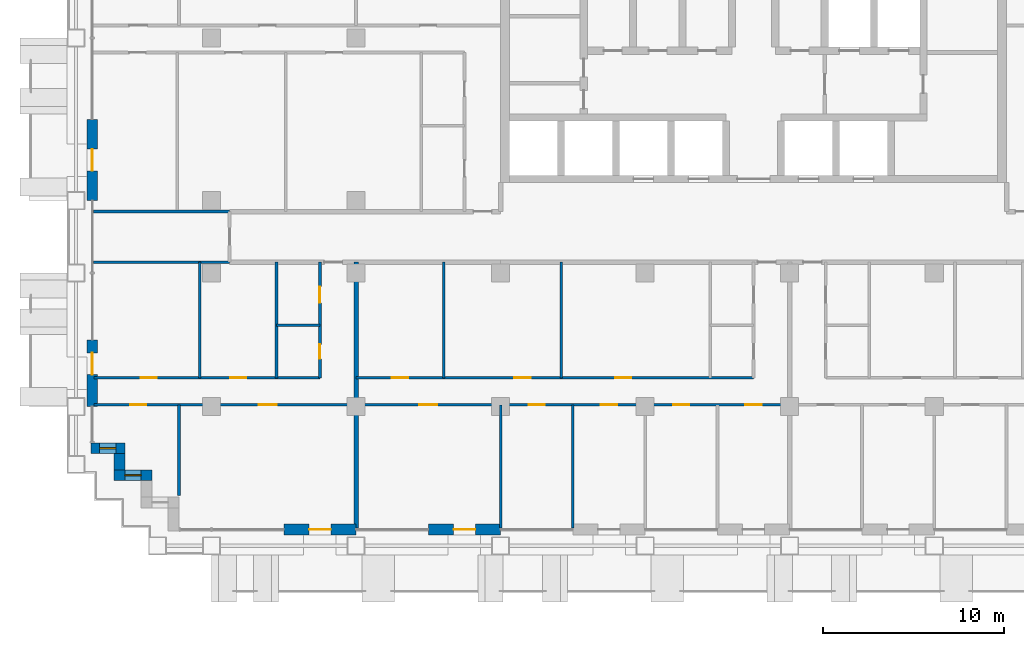
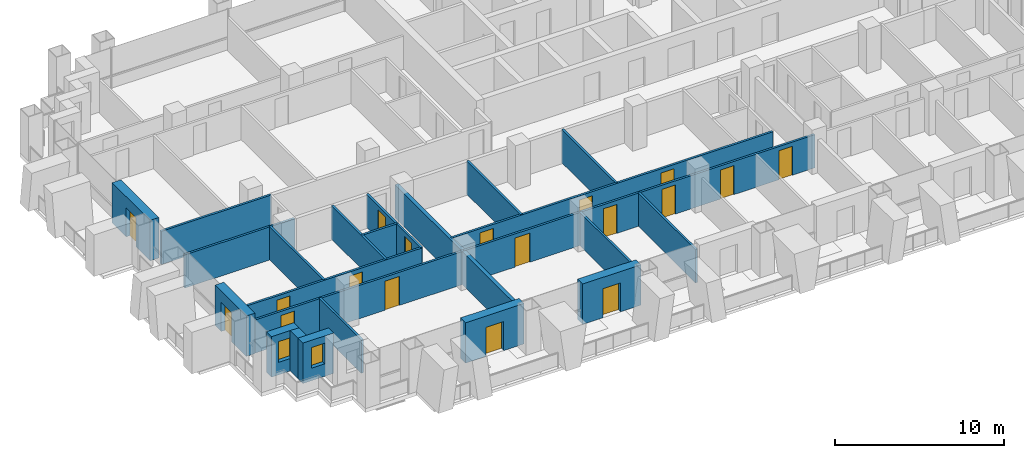
# One storey, part 9 of 18: 23 walls, 18 doors, 2 windows, 20 openings.
"""IFC4 building model written with IfcOpenShell, lengths in metres."""

import ifcopenshell
import ifcopenshell.guid

model = None  # the IFC model being written
_history = None  # IfcOwnerHistory: only IFC2X3 demands one
_inside = {}  # id of a spatial element -> (the spatial element, [elements in it])
_under = {}  # id of a project, library or spatial element -> (it, [spatial elements below it])
_declared = {}  # id of a project -> (the project, [libraries it declares])
_typed = {}  # id of a type object -> (the type object, [elements of that type])
_made_of = {}  # id of a material, layer set ... -> (it, [elements and type objects made of it])


def new_model(schema):
    """Start an empty IFC model of exactly this schema.

    Asked for "IFC4X3", IfcOpenShell would pick the latest addendum, in which some entities
    have other attributes; the version numbers below select the first issue.
    IFC2X3 requires an IfcOwnerHistory on every rooted entity: one is made here for all.
    """
    global model, _history
    if schema == "IFC4X3":
        model = ifcopenshell.file(schema_version=(4, 3, 0, 0))
    else:
        model = ifcopenshell.file(schema=schema)
    _inside.clear()
    _under.clear()
    _declared.clear()
    _typed.clear()
    _made_of.clear()
    _history = None
    if model.schema == "IFC2X3":
        org = make("IfcOrganization", Name="unknown")
        user = make(
            "IfcPersonAndOrganization",
            ThePerson=make("IfcPerson", FamilyName="unknown"),
            TheOrganization=org,
        )
        app = make(
            "IfcApplication",
            ApplicationDeveloper=org,
            Version="unknown",
            ApplicationFullName="unknown",
            ApplicationIdentifier="unknown",
        )
        _history = make(
            "IfcOwnerHistory",
            OwningUser=user,
            OwningApplication=app,
            ChangeAction="ADDED",
            CreationDate=0,
        )
    return model


def make(cls, **values):
    """One entity of the class cls with the attributes given. An attribute that is None is left unset."""
    return model.create_entity(
        cls, **{name: value for name, value in values.items() if value is not None}
    )


def rooted(cls, **values):
    """An entity with a GlobalId (a new one), such as an element, a storey or a relation."""
    return make(cls, GlobalId=ifcopenshell.guid.new(), OwnerHistory=_history, **values)


def si_unit(unit_type, name, prefix=None):
    """IfcSIUnit, for example si_unit("LENGTHUNIT", "METRE", prefix="MILLI")."""
    return make("IfcSIUnit", UnitType=unit_type, Prefix=prefix, Name=name)


def assignment(units):
    """IfcUnitAssignment: the units of a project."""
    return None if units is None else make("IfcUnitAssignment", Units=units)


def point(xyz):
    """IfcCartesianPoint."""
    return None if xyz is None else make("IfcCartesianPoint", Coordinates=xyz)


def direction(xyz):
    """IfcDirection."""
    return None if xyz is None else make("IfcDirection", DirectionRatios=xyz)


def frame(location, z_axis=None, x_axis=None):
    """IfcAxis2Placement3D, a coordinate frame: its origin and axes. An axis left out is left unset."""
    return make(
        "IfcAxis2Placement3D",
        Location=point(location),
        Axis=direction(z_axis),
        RefDirection=direction(x_axis),
    )


def frame_2d(location, x_axis=None):
    """IfcAxis2Placement2D, a coordinate frame in the plane: its origin and x axis."""
    return make(
        "IfcAxis2Placement2D", Location=point(location), RefDirection=direction(x_axis)
    )


def origin():
    """The frame at (0, 0, 0) with its axes left unset."""
    return frame((0.0, 0.0, 0.0))


def place(relative_to, where):
    """IfcLocalPlacement: puts the frame where relative to a parent placement (None: the world)."""
    return make(
        "IfcLocalPlacement", PlacementRelTo=relative_to, RelativePlacement=where
    )


def context(
    kind, dimensions, precision=None, world=None, true_north=None, identifier=None
):
    """IfcGeometricRepresentationContext, for example the 3D "Model" context."""
    return make(
        "IfcGeometricRepresentationContext",
        ContextIdentifier=identifier,
        ContextType=kind,
        CoordinateSpaceDimension=dimensions,
        Precision=precision,
        WorldCoordinateSystem=world,
        TrueNorth=true_north,
    )


def subcontext(parent, identifier, kind, view, scale=None):
    """IfcGeometricRepresentationSubContext, for example "Body" below "Model"."""
    return make(
        "IfcGeometricRepresentationSubContext",
        ContextIdentifier=identifier,
        ContextType=kind,
        ParentContext=parent,
        TargetScale=scale,
        TargetView=view,
    )


def project(units=None, contexts=None):
    """IfcProject with its units and contexts."""
    return rooted(
        "IfcProject",
        Name="project",
        RepresentationContexts=contexts,
        UnitsInContext=assignment(units),
    )


def spatial(cls, under=None, at=None, **own):
    """A site, building, storey or space (cls), placed at a placement, below another one or the project."""
    s = rooted(cls, ObjectPlacement=at, **own)
    if under is not None:
        _under.setdefault(under.id(), (under, []))[1].append(s)
    return s


def profile(cls, at=None, kind="AREA", **sizes):
    """A parametric profile (cls). Its sizes go by their IFC names, for example OverallWidth=200.0."""
    return make(cls, ProfileType=kind, Position=at, **sizes)


def rectangle(**sizes):
    """IfcRectangleProfileDef."""
    return profile("IfcRectangleProfileDef", **sizes)


def extrude(swept, where, along, depth):
    """IfcExtrudedAreaSolid: the profile swept, set in the frame where, extruded along a direction by depth."""
    return make(
        "IfcExtrudedAreaSolid",
        SweptArea=swept,
        Position=where,
        ExtrudedDirection=direction(along),
        Depth=depth,
    )


def shape(context_of_items, identifier, shape_type, items):
    """IfcShapeRepresentation: the items that make up one representation, for example the "Body"."""
    return make(
        "IfcShapeRepresentation",
        ContextOfItems=context_of_items,
        RepresentationIdentifier=identifier,
        RepresentationType=shape_type,
        Items=items,
    )


def material(Name=None, Category=None):
    """IfcMaterial."""
    return make("IfcMaterial", Name=Name, Category=Category)


def layer(
    of_material, thickness, ventilated=None, Name=None, Category=None, Priority=None
):
    """IfcMaterialLayer: one layer of a wall or slab, of a material (None: an air gap)."""
    return make(
        "IfcMaterialLayer",
        Material=of_material,
        LayerThickness=thickness,
        IsVentilated=ventilated,
        Name=Name,
        Category=Category,
        Priority=Priority,
    )


def layer_set(layers, Name=None):
    """IfcMaterialLayerSet."""
    return make("IfcMaterialLayerSet", MaterialLayers=layers, LayerSetName=Name)


def made_of(thing, what):
    """Note that an element or type object is made of a material, layer set ...; save() writes the relation."""
    if what is not None:
        _made_of.setdefault(what.id(), (what, []))[1].append(thing)
    return thing


def type_object(cls, material=None, **own):
    """A type object (cls), such as IfcWallType, which elements share."""
    return made_of(rooted(cls, **own), material)


def element(
    cls,
    number,
    at=None,
    inside=None,
    cuts=None,
    type_object=None,
    material=None,
    context=None,
    identifier="Body",
    shape_type=None,
    held_by="IfcProductDefinitionShape",
    body=None,
    shapes=None,
    **own,
):
    """One element of the class cls, such as IfcWall. Its Tag is "e" and its number.

    at: its placement. inside: the storey or other place that contains it. cuts: it is an
    opening in that element (IfcRelVoidsElement). A single representation is given by context,
    identifier, shape_type and body (its items); several are given by shapes. held_by: the class
    of the entity that holds the representations. save() writes the other relations.
    """
    e = rooted(cls, Tag="e%d" % number, ObjectPlacement=at, **own)
    if body is not None:
        shapes = [shape(context, identifier, shape_type, body)]
    if shapes is not None:
        e.Representation = make(held_by, Representations=shapes)
    if inside is not None:
        _inside.setdefault(inside.id(), (inside, []))[1].append(e)
    if cuts is not None:
        rooted(
            "IfcRelVoidsElement", RelatingBuildingElement=cuts, RelatedOpeningElement=e
        )
    if type_object is not None:
        _typed.setdefault(type_object.id(), (type_object, []))[1].append(e)
    return made_of(e, material)


def fill(opening, filler):
    """IfcRelFillsElement: the door or window that sits in an opening."""
    return rooted(
        "IfcRelFillsElement",
        RelatingOpeningElement=opening,
        RelatedBuildingElement=filler,
    )


def aggregate(whole, parts):
    """IfcRelAggregates: a whole, such as a stair, and the parts it consists of."""
    return rooted("IfcRelAggregates", RelatingObject=whole, RelatedObjects=parts)


def save(model, path):
    """Write the relations noted so far, then the file.

    IfcRelAggregates (storeys below a building ...), IfcRelContainedInSpatialStructure (elements
    in a storey), IfcRelDefinesByType, IfcRelAssociatesMaterial and IfcRelDeclares: one each for
    every whole, place, type object, material and project.
    """
    for whole, parts in _under.values():
        aggregate(whole, parts)
    for where, things in _inside.values():
        rooted(
            "IfcRelContainedInSpatialStructure",
            RelatedElements=things,
            RelatingStructure=where,
        )
    for kind, things in _typed.values():
        rooted("IfcRelDefinesByType", RelatedObjects=things, RelatingType=kind)
    for what, things in _made_of.values():
        rooted("IfcRelAssociatesMaterial", RelatedObjects=things, RelatingMaterial=what)
    for by, libraries in _declared.values():
        rooted("IfcRelDeclares", RelatingContext=by, RelatedDefinitions=libraries)
    model.write(path)


model = new_model("IFC4")

# Units and contexts
model_context = context("Model", 3, precision=1e-05, world=origin(), true_north=direction((0.0, 1.0)))
body_context = subcontext(model_context, "Body", "Model", "MODEL_VIEW")
ifc_project = project(units=[si_unit("LENGTHUNIT", "METRE"), si_unit("AREAUNIT", "SQUARE_METRE"), si_unit("VOLUMEUNIT", "CUBIC_METRE"), si_unit("PLANEANGLEUNIT", "RADIAN"), si_unit("MASSUNIT", "GRAM", prefix="KILO")], contexts=[model_context])

# Site, building, storey
site_placement = place(None, origin())
site = spatial("IfcSite", under=ifc_project, at=site_placement, CompositionType="ELEMENT")
building_placement = place(site_placement, origin())
building = spatial("IfcBuilding", under=site, at=building_placement, Name="Vidyagriha Tower", CompositionType="ELEMENT")
storey_placement = place(building_placement, frame((0.0, 0.0, 41.60009765625)))
storey = spatial("IfcBuildingStorey", under=building, at=storey_placement, Name="L10", CompositionType="ELEMENT", Elevation=41.60009765625)

# Wall, opening, door
ifc_material_1 = material(Name="Precast concrete C40/50 with brick facing", Category="concrete")
ifc_layer_1 = layer(ifc_material_1, 0.60009765625)
ifc_layer_set_1 = layer_set([ifc_layer_1], Name="Precast concrete C40/50 with brick facing")
wall_type_1 = type_object("IfcWallType", Name="Brick-faced precast wall 600", PredefinedType="STANDARD", material=ifc_layer_set_1)
wall_1_placement = place(storey_placement, frame((-36.60009765625, 6.5, 0.0), z_axis=(0.0, 0.0, 1.0), x_axis=(0.0, -1.0, 0.0)))
wall_1 = element("IfcWall", 1, at=wall_1_placement, inside=storey, type_object=wall_type_1, Name="Brick door bay wall L10 R16.3", PredefinedType="STANDARD", context=body_context, shape_type="SweptSolid", body=[
    extrude(rectangle(XDim=4.5, YDim=0.60009765625, at=frame_2d((2.25, 0.0))), origin(), (0.0, 0.0, 1.0), 2.919921875),
])
opening_1_placement = place(wall_1_placement, frame((1.64990234375, 0.0, 0.0)))
opening_1 = element("IfcOpeningElement", 2, at=opening_1_placement, cuts=wall_1, Name="Opening D10-77", PredefinedType="OPENING", context=body_context, shape_type="SweptSolid", body=[
    extrude(rectangle(XDim=1.199951171875, YDim=2.10009765625, at=frame_2d((0.60009765625, 1.050048828125))), frame((0.0, 0.31005859375, 0.0), z_axis=(0.0, -1.0, 0.0), x_axis=(1.0, 0.0, 0.0)), (0.0, 0.0, 1.0), 0.6201171875),
])
ifc_material_2 = material(Name="Aluminium framed glazed sliding door", Category="aluminium")
door_type_1 = type_object("IfcDoorType", Name="Balcony sliding door 1200x2100", OperationType="NOTDEFINED", PredefinedType="DOOR", material=ifc_material_2)
door_1_placement = place(opening_1_placement, origin())
door_1 = element("IfcDoor", 3, at=door_1_placement, inside=storey, type_object=door_type_1, Name="Door D10-77", OperationType="SLIDING_TO_LEFT", OverallHeight=2.10009765625, OverallWidth=1.199951171875, PredefinedType="DOOR", context=body_context, shape_type="SweptSolid", body=[
    extrude(rectangle(XDim=1.199951171875, YDim=2.10009765625, at=frame_2d((0.60009765625, 1.050048828125))), frame((0.0, 0.02490234375, 0.0), z_axis=(0.0, -1.0, 0.0), x_axis=(1.0, 0.0, 0.0)), (0.0, 0.0, 1.0), 0.050048828125),
])
fill(opening_1, door_1)

wall_2_placement = place(storey_placement, frame((-36.60009765625, -5.699951171875, 0.0), z_axis=(0.0, 0.0, 1.0), x_axis=(0.0, -1.0, 0.0)))
wall_2 = element("IfcWall", 4, at=wall_2_placement, inside=storey, type_object=wall_type_1, Name="Brick door bay wall L10 R16.6", PredefinedType="STANDARD", context=body_context, shape_type="SweptSolid", body=[
    extrude(rectangle(XDim=3.699951171875, YDim=0.60009765625, at=frame_2d((1.85009765625, 0.0))), origin(), (0.0, 0.0, 1.0), 2.919921875),
])
opening_2_placement = place(wall_2_placement, frame((0.72509765625, 0.0, 0.0)))
opening_2 = element("IfcOpeningElement", 5, at=opening_2_placement, cuts=wall_2, Name="Opening D10-78", PredefinedType="OPENING", context=body_context, shape_type="SweptSolid", body=[
    extrude(rectangle(XDim=1.199951171875, YDim=2.10009765625, at=frame_2d((0.60009765625, 1.050048828125))), frame((0.0, 0.31005859375, 0.0), z_axis=(0.0, -1.0, 0.0), x_axis=(1.0, 0.0, 0.0)), (0.0, 0.0, 1.0), 0.6201171875),
])
door_2_placement = place(opening_2_placement, origin())
door_2 = element("IfcDoor", 6, at=door_2_placement, inside=storey, type_object=door_type_1, Name="Door D10-78", OperationType="SLIDING_TO_LEFT", OverallHeight=2.10009765625, OverallWidth=1.199951171875, PredefinedType="DOOR", context=body_context, shape_type="SweptSolid", body=[
    extrude(rectangle(XDim=1.199951171875, YDim=2.10009765625, at=frame_2d((0.60009765625, 1.050048828125))), frame((0.0, 0.02490234375, 0.0), z_axis=(0.0, -1.0, 0.0), x_axis=(1.0, 0.0, 0.0)), (0.0, 0.0, 1.0), 0.050048828125),
])
fill(opening_2, door_2)

# Wall, opening, window
wall_3_placement = place(storey_placement, frame((-36.679931640625, -11.699951171875, 0.0)))
wall_3 = element("IfcWall", 7, at=wall_3_placement, inside=storey, type_object=wall_type_1, Name="Stepped corner wall L10 R17", PredefinedType="STANDARD", context=body_context, shape_type="SweptSolid", body=[
    extrude(rectangle(XDim=1.8798828125, YDim=0.60009765625, at=frame_2d((0.93994140625, 0.0))), origin(), (0.0, 0.0, 1.0), 2.919921875),
])
opening_3_placement = place(wall_3_placement, frame((0.489990234375, 0.0, 0.89990234375)))
opening_3 = element("IfcOpeningElement", 8, at=opening_3_placement, cuts=wall_3, Name="Opening WN1", PredefinedType="OPENING", context=body_context, shape_type="SweptSolid", body=[
    extrude(rectangle(XDim=0.89990234375, YDim=1.5, at=frame_2d((0.449951171875, 0.75))), frame((0.0, 0.31005859375, 0.0), z_axis=(0.0, -1.0, 0.0), x_axis=(1.0, 0.0, 0.0)), (0.0, 0.0, 1.0), 0.6201171875),
])
ifc_material_3 = material(Name="Aluminium and glass window", Category="aluminium")
window_type = type_object("IfcWindowType", Name="Reveal window 900x1500", PartitioningType="NOTDEFINED", PredefinedType="WINDOW", material=ifc_material_3)
window_1_placement = place(opening_3_placement, origin())
window_1 = element("IfcWindow", 9, at=window_1_placement, inside=storey, type_object=window_type, Name="Reveal window L10 R17", OverallHeight=1.5, OverallWidth=0.89990234375, PartitioningType="SINGLE_PANEL", PredefinedType="WINDOW", context=body_context, shape_type="SweptSolid", body=[
    extrude(rectangle(XDim=0.89990234375, YDim=1.5, at=frame_2d((0.449951171875, 0.75))), frame((0.0, 0.030029296875, 0.0), z_axis=(0.0, -1.0, 0.0), x_axis=(1.0, 0.0, 0.0)), (0.0, 0.0, 1.0), 0.06005859375),
])
fill(opening_3, window_1)

# Wall
wall_4_placement = place(storey_placement, frame((-35.10009765625, -12.0, 0.0), z_axis=(0.0, 0.0, 1.0), x_axis=(0.0, -1.0, 0.0)))
element("IfcWall", 10, at=wall_4_placement, inside=storey, type_object=wall_type_1, Name="Stepped corner wall L10 R18", PredefinedType="STANDARD", context=body_context, shape_type="SweptSolid", body=[
    extrude(rectangle(XDim=0.89990234375, YDim=0.60009765625, at=frame_2d((0.449951171875, 0.0))), origin(), (0.0, 0.0, 1.0), 2.919921875),
])

# Wall, opening, window
wall_5_placement = place(storey_placement, frame((-35.39990234375, -13.199951171875, 0.0)))
wall_5 = element("IfcWall", 11, at=wall_5_placement, inside=storey, type_object=wall_type_1, Name="Stepped corner wall L10 R19", PredefinedType="STANDARD", context=body_context, shape_type="SweptSolid", body=[
    extrude(rectangle(XDim=2.099853515625, YDim=0.60009765625, at=frame_2d((1.0498046875, 0.0))), origin(), (0.0, 0.0, 1.0), 2.919921875),
])
opening_4_placement = place(wall_5_placement, frame((0.60009765625, 0.0, 0.89990234375)))
opening_4 = element("IfcOpeningElement", 12, at=opening_4_placement, cuts=wall_5, Name="Opening WN1", PredefinedType="OPENING", context=body_context, shape_type="SweptSolid", body=[
    extrude(rectangle(XDim=0.89990234375, YDim=1.5, at=frame_2d((0.449951171875, 0.75))), frame((0.0, 0.31005859375, 0.0), z_axis=(0.0, -1.0, 0.0), x_axis=(1.0, 0.0, 0.0)), (0.0, 0.0, 1.0), 0.6201171875),
])
window_2_placement = place(opening_4_placement, origin())
window_2 = element("IfcWindow", 13, at=window_2_placement, inside=storey, type_object=window_type, Name="Reveal window L10 R19", OverallHeight=1.5, OverallWidth=0.89990234375, PartitioningType="SINGLE_PANEL", PredefinedType="WINDOW", context=body_context, shape_type="SweptSolid", body=[
    extrude(rectangle(XDim=0.89990234375, YDim=1.5, at=frame_2d((0.449951171875, 0.75))), frame((0.0, 0.030029296875, 0.0), z_axis=(0.0, -1.0, 0.0), x_axis=(1.0, 0.0, 0.0)), (0.0, 0.0, 1.0), 0.06005859375),
])
fill(opening_4, window_2)

# Wall, opening, door
wall_6_placement = place(storey_placement, frame((-26.0, -16.199951171875, 0.0)))
wall_6 = element("IfcWall", 14, at=wall_6_placement, inside=storey, type_object=wall_type_1, Name="Brick door bay wall L10 R23.3", PredefinedType="STANDARD", context=body_context, shape_type="SweptSolid", body=[
    extrude(rectangle(XDim=4.0, YDim=0.60009765625, at=frame_2d((2.0, 0.0))), origin(), (0.0, 0.0, 1.0), 2.919921875),
])
opening_5_placement = place(wall_6_placement, frame((1.39990234375, 0.0, 0.0)))
opening_5 = element("IfcOpeningElement", 15, at=opening_5_placement, cuts=wall_6, Name="Opening D10-79", PredefinedType="OPENING", context=body_context, shape_type="SweptSolid", body=[
    extrude(rectangle(XDim=1.199951171875, YDim=2.10009765625, at=frame_2d((0.60009765625, 1.050048828125))), frame((0.0, 0.31005859375, 0.0), z_axis=(0.0, -1.0, 0.0), x_axis=(1.0, 0.0, 0.0)), (0.0, 0.0, 1.0), 0.6201171875),
])
door_3_placement = place(opening_5_placement, origin())
door_3 = element("IfcDoor", 16, at=door_3_placement, inside=storey, type_object=door_type_1, Name="Door D10-79", OperationType="SLIDING_TO_LEFT", OverallHeight=2.10009765625, OverallWidth=1.199951171875, PredefinedType="DOOR", context=body_context, shape_type="SweptSolid", body=[
    extrude(rectangle(XDim=1.199951171875, YDim=2.10009765625, at=frame_2d((0.60009765625, 1.050048828125))), frame((0.0, 0.02490234375, 0.0), z_axis=(0.0, -1.0, 0.0), x_axis=(1.0, 0.0, 0.0)), (0.0, 0.0, 1.0), 0.050048828125),
])
fill(opening_5, door_3)

wall_7_placement = place(storey_placement, frame((-18.0, -16.199951171875, 0.0)))
wall_7 = element("IfcWall", 17, at=wall_7_placement, inside=storey, type_object=wall_type_1, Name="Brick door bay wall L10 R23.5", PredefinedType="STANDARD", context=body_context, shape_type="SweptSolid", body=[
    extrude(rectangle(XDim=4.0, YDim=0.60009765625, at=frame_2d((2.0, 0.0))), origin(), (0.0, 0.0, 1.0), 2.919921875),
])
opening_6_placement = place(wall_7_placement, frame((1.39990234375, 0.0, 0.0)))
opening_6 = element("IfcOpeningElement", 18, at=opening_6_placement, cuts=wall_7, Name="Opening D10-80", PredefinedType="OPENING", context=body_context, shape_type="SweptSolid", body=[
    extrude(rectangle(XDim=1.199951171875, YDim=2.10009765625, at=frame_2d((0.60009765625, 1.050048828125))), frame((0.0, 0.31005859375, 0.0), z_axis=(0.0, -1.0, 0.0), x_axis=(1.0, 0.0, 0.0)), (0.0, 0.0, 1.0), 0.6201171875),
])
door_4_placement = place(opening_6_placement, origin())
door_4 = element("IfcDoor", 19, at=door_4_placement, inside=storey, type_object=door_type_1, Name="Door D10-80", OperationType="SLIDING_TO_LEFT", OverallHeight=2.10009765625, OverallWidth=1.199951171875, PredefinedType="DOOR", context=body_context, shape_type="SweptSolid", body=[
    extrude(rectangle(XDim=1.199951171875, YDim=2.10009765625, at=frame_2d((0.60009765625, 1.050048828125))), frame((0.0, 0.02490234375, 0.0), z_axis=(0.0, -1.0, 0.0), x_axis=(1.0, 0.0, 0.0)), (0.0, 0.0, 1.0), 0.050048828125),
])
fill(opening_6, door_4)

# Walls
ifc_material_4 = material(Name="Fired clay brick masonry", Category="masonry")
ifc_layer_2 = layer(ifc_material_4, 0.25)
ifc_layer_set_2 = layer_set([ifc_layer_2], Name="Fired clay brick masonry")
wall_type_2 = type_object("IfcWallType", Name="Fired clay brick demising wall 250", PredefinedType="PARTITIONING", material=ifc_layer_set_2)
wall_8_placement = place(storey_placement, frame((-22.0, -1.39990234375, 0.0), z_axis=(0.0, 0.0, 1.0), x_axis=(0.0, -1.0, 0.0)))
element("IfcWall", 20, at=wall_8_placement, inside=storey, type_object=wall_type_2, Name="Wall all-L10-w037", PredefinedType="PARTITIONING", context=body_context, shape_type="SweptSolid", body=[
    extrude(rectangle(XDim=14.710205078125, YDim=0.25, at=frame_2d((7.35498046875, 0.0))), origin(), (0.0, 0.0, 1.0), 2.39990234375),
])
ifc_material_5 = material(Name="Gypsum board partition")
ifc_layer_3 = layer(ifc_material_5, 0.14990234375)
ifc_layer_set_3 = layer_set([ifc_layer_3], Name="Gypsum board partition")
wall_type_3 = type_object("IfcWallType", Name="Gypsum board partition 150", PredefinedType="PARTITIONING", material=ifc_layer_set_3)
wall_9_placement = place(storey_placement, frame((-24.0, -4.89990234375, 0.0), z_axis=(0.0, 0.0, 1.0), x_axis=(-1.0, 0.0, 0.0)))
element("IfcWall", 21, at=wall_9_placement, inside=storey, type_object=wall_type_3, Name="Wall all-L10-w004", PredefinedType="PARTITIONING", context=body_context, shape_type="SweptSolid", body=[
    extrude(rectangle(XDim=2.39990234375, YDim=0.14990234375, at=frame_2d((1.199951171875, 0.0))), origin(), (0.0, 0.0, 1.0), 2.39990234375),
])
for number, where, z_axis, x_axis, name in (
    (22, (-26.39990234375, -7.800048828125, 0.0), (0.0, 0.0, 1.0), (0.0, 1.0, 0.0), "Wall all-L10-w005"),
    (23, (-30.64990234375, -7.800048828125, 0.0), (0.0, 0.0, 1.0), (0.0, 1.0, 0.0), "Wall all-L10-w006"),
):
    element("IfcWall", number, at=place(storey_placement, frame(where, z_axis=z_axis, x_axis=x_axis)), inside=storey, type_object=wall_type_3, Name=name, PredefinedType="PARTITIONING", context=body_context, shape_type="SweptSolid", body=[
        extrude(rectangle(XDim=6.400146484375, YDim=0.14990234375, at=frame_2d((3.2001953125, 0.0))), origin(), (0.0, 0.0, 1.0), 2.39990234375),
    ])

# Wall, openings, doors
wall_10_placement = place(storey_placement, frame((-36.510009765625, -7.800048828125, 0.0)))
wall_10 = element("IfcWall", 24, at=wall_10_placement, inside=storey, type_object=wall_type_3, Name="Wall all-L10-w007", PredefinedType="PARTITIONING", context=body_context, shape_type="SweptSolid", body=[
    extrude(rectangle(XDim=12.510009765625, YDim=0.14990234375, at=frame_2d((6.2548828125, 0.0))), origin(), (0.0, 0.0, 1.0), 2.39990234375),
])
opening_7_placement = place(wall_10_placement, frame((7.534912109375, 0.0, 0.0)))
opening_7 = element("IfcOpeningElement", 25, at=opening_7_placement, cuts=wall_10, Name="Opening D10-17", PredefinedType="OPENING", context=body_context, shape_type="SweptSolid", body=[
    extrude(rectangle(XDim=0.89990234375, YDim=2.10009765625, at=frame_2d((0.449951171875, 1.050048828125))), frame((0.0, 0.0849609375, 0.0), z_axis=(0.0, -1.0, 0.0), x_axis=(1.0, 0.0, 0.0)), (0.0, 0.0, 1.0), 0.169921875),
])
opening_8_placement = place(wall_10_placement, frame((2.5849609375, 0.0, 0.0)))
opening_8 = element("IfcOpeningElement", 26, at=opening_8_placement, cuts=wall_10, Name="Opening D10-18", PredefinedType="OPENING", context=body_context, shape_type="SweptSolid", body=[
    extrude(rectangle(XDim=0.89990234375, YDim=2.10009765625, at=frame_2d((0.449951171875, 1.050048828125))), frame((0.0, 0.0849609375, 0.0), z_axis=(0.0, -1.0, 0.0), x_axis=(1.0, 0.0, 0.0)), (0.0, 0.0, 1.0), 0.169921875),
])
ifc_material_6 = material(Name="Timber door leaf", Category="wood")
door_type_2 = type_object("IfcDoorType", Name="Room door 900x2100", OperationType="NOTDEFINED", PredefinedType="DOOR", material=ifc_material_6)
door_5_placement = place(opening_7_placement, origin())
door_5 = element("IfcDoor", 27, at=door_5_placement, inside=storey, type_object=door_type_2, Name="Door D10-17", OperationType="SINGLE_SWING_RIGHT", OverallHeight=2.10009765625, OverallWidth=0.89990234375, PredefinedType="DOOR", context=body_context, shape_type="SweptSolid", body=[
    extrude(rectangle(XDim=0.89990234375, YDim=2.10009765625, at=frame_2d((0.449951171875, 1.050048828125))), frame((0.0, 0.02490234375, 0.0), z_axis=(0.0, -1.0, 0.0), x_axis=(1.0, 0.0, 0.0)), (0.0, 0.0, 1.0), 0.050048828125),
])
fill(opening_7, door_5)
door_6_placement = place(opening_8_placement, origin())
door_6 = element("IfcDoor", 28, at=door_6_placement, inside=storey, type_object=door_type_2, Name="Door D10-18", OperationType="SINGLE_SWING_LEFT", OverallHeight=2.10009765625, OverallWidth=0.89990234375, PredefinedType="DOOR", context=body_context, shape_type="SweptSolid", body=[
    extrude(rectangle(XDim=0.89990234375, YDim=2.10009765625, at=frame_2d((0.449951171875, 1.050048828125))), frame((0.0, 0.02490234375, 0.0), z_axis=(0.0, -1.0, 0.0), x_axis=(1.0, 0.0, 0.0)), (0.0, 0.0, 1.0), 0.050048828125),
])
fill(opening_8, door_6)

wall_11_placement = place(storey_placement, frame((-22.0, -9.300048828125, 0.0), z_axis=(0.0, 0.0, 1.0), x_axis=(-1.0, 0.0, 0.0)))
wall_11 = element("IfcWall", 29, at=wall_11_placement, inside=storey, type_object=wall_type_3, Name="Wall all-L10-w010", PredefinedType="PARTITIONING", context=body_context, shape_type="SweptSolid", body=[
    extrude(rectangle(XDim=14.510009765625, YDim=0.14990234375, at=frame_2d((7.2548828125, 0.0))), origin(), (0.0, 0.0, 1.0), 2.39990234375),
])
opening_9_placement = place(wall_11_placement, frame((11.60009765625, 0.0, 0.0)))
opening_9 = element("IfcOpeningElement", 30, at=opening_9_placement, cuts=wall_11, Name="Opening D10-19", PredefinedType="OPENING", context=body_context, shape_type="SweptSolid", body=[
    extrude(rectangle(XDim=0.89990234375, YDim=2.10009765625, at=frame_2d((0.449951171875, 1.050048828125))), frame((0.0, 0.0849609375, 0.0), z_axis=(0.0, -1.0, 0.0), x_axis=(1.0, 0.0, 0.0)), (0.0, 0.0, 1.0), 0.169921875),
])
opening_10_placement = place(wall_11_placement, frame((4.39990234375, 0.0, 0.0)))
opening_10 = element("IfcOpeningElement", 31, at=opening_10_placement, cuts=wall_11, Name="Opening D10-20", PredefinedType="OPENING", context=body_context, shape_type="SweptSolid", body=[
    extrude(rectangle(XDim=1.0, YDim=2.10009765625, at=frame_2d((0.5, 1.050048828125))), frame((0.0, 0.0849609375, 0.0), z_axis=(0.0, -1.0, 0.0), x_axis=(1.0, 0.0, 0.0)), (0.0, 0.0, 1.0), 0.169921875),
])
ifc_material_7 = material(Name="Timber door leaf", Category="wood")
door_type_3 = type_object("IfcDoorType", Name="Room door 1000x2100", OperationType="NOTDEFINED", PredefinedType="DOOR", material=ifc_material_7)
door_7_placement = place(opening_10_placement, origin())
door_7 = element("IfcDoor", 32, at=door_7_placement, inside=storey, type_object=door_type_3, Name="Door D10-20", OperationType="SINGLE_SWING_LEFT", OverallHeight=2.10009765625, OverallWidth=1.0, PredefinedType="DOOR", context=body_context, shape_type="SweptSolid", body=[
    extrude(rectangle(XDim=1.0, YDim=2.10009765625, at=frame_2d((0.5, 1.050048828125))), frame((0.0, 0.02490234375, 0.0), z_axis=(0.0, -1.0, 0.0), x_axis=(1.0, 0.0, 0.0)), (0.0, 0.0, 1.0), 0.050048828125),
])
fill(opening_10, door_7)
door_8_placement = place(opening_9_placement, origin())
door_8 = element("IfcDoor", 33, at=door_8_placement, inside=storey, type_object=door_type_2, Name="Door D10-19", OperationType="SINGLE_SWING_LEFT", OverallHeight=2.10009765625, OverallWidth=0.89990234375, PredefinedType="DOOR", context=body_context, shape_type="SweptSolid", body=[
    extrude(rectangle(XDim=0.89990234375, YDim=2.10009765625, at=frame_2d((0.449951171875, 1.050048828125))), frame((0.0, 0.02490234375, 0.0), z_axis=(0.0, -1.0, 0.0), x_axis=(1.0, 0.0, 0.0)), (0.0, 0.0, 1.0), 0.050048828125),
])
fill(opening_9, door_8)

# Walls
wall_12_placement = place(storey_placement, frame((-31.800048828125, -9.300048828125, 0.0), z_axis=(0.0, 0.0, 1.0), x_axis=(0.0, -1.0, 0.0)))
element("IfcWall", 34, at=wall_12_placement, inside=storey, type_object=wall_type_3, Name="Wall all-L10-w013", PredefinedType="PARTITIONING", context=body_context, shape_type="SweptSolid", body=[
    extrude(rectangle(XDim=5.02001953125, YDim=0.14990234375, at=frame_2d((2.510009765625, 0.0))), origin(), (0.0, 0.0, 1.0), 2.39990234375),
])
for number, where, z_axis, x_axis, name in (
    (35, (-10.64990234375, -7.800048828125, 0.0), (0.0, 0.0, 1.0), (0.0, 1.0, 0.0), "Wall all-L10-w020"),
    (36, (-17.14990234375, -7.800048828125, 0.0), (0.0, 0.0, 1.0), (0.0, 1.0, 0.0), "Wall all-L10-w021"),
):
    element("IfcWall", number, at=place(storey_placement, frame(where, z_axis=z_axis, x_axis=x_axis)), inside=storey, type_object=wall_type_3, Name=name, PredefinedType="PARTITIONING", context=body_context, shape_type="SweptSolid", body=[
        extrude(rectangle(XDim=6.400146484375, YDim=0.14990234375, at=frame_2d((3.2001953125, 0.0))), origin(), (0.0, 0.0, 1.0), 2.39990234375),
    ])

# Wall, openings, doors
wall_13_placement = place(storey_placement, frame((-22.0, -7.800048828125, 0.0)))
wall_13 = element("IfcWall", 37, at=wall_13_placement, inside=storey, type_object=wall_type_3, Name="Wall all-L10-w022", PredefinedType="PARTITIONING", context=body_context, shape_type="SweptSolid", body=[
    extrude(rectangle(XDim=22.0, YDim=0.14990234375, at=frame_2d((11.0, 0.0))), origin(), (0.0, 0.0, 1.0), 2.39990234375),
])
opening_11_placement = place(wall_13_placement, frame((14.340087890625, 0.0, 0.0)))
opening_11 = element("IfcOpeningElement", 38, at=opening_11_placement, cuts=wall_13, Name="Opening D10-24", PredefinedType="OPENING", context=body_context, shape_type="SweptSolid", body=[
    extrude(rectangle(XDim=0.89990234375, YDim=2.10009765625, at=frame_2d((0.449951171875, 1.050048828125))), frame((0.0, 0.0849609375, 0.0), z_axis=(0.0, -1.0, 0.0), x_axis=(1.0, 0.0, 0.0)), (0.0, 0.0, 1.0), 0.169921875),
])
opening_12_placement = place(wall_13_placement, frame((8.760009765625, 0.0, 0.0)))
opening_12 = element("IfcOpeningElement", 39, at=opening_12_placement, cuts=wall_13, Name="Opening D10-25", PredefinedType="OPENING", context=body_context, shape_type="SweptSolid", body=[
    extrude(rectangle(XDim=0.89990234375, YDim=2.10009765625, at=frame_2d((0.449951171875, 1.050048828125))), frame((0.0, 0.0849609375, 0.0), z_axis=(0.0, -1.0, 0.0), x_axis=(1.0, 0.0, 0.0)), (0.0, 0.0, 1.0), 0.169921875),
])
opening_13_placement = place(wall_13_placement, frame((1.97509765625, 0.0, 0.0)))
opening_13 = element("IfcOpeningElement", 40, at=opening_13_placement, cuts=wall_13, Name="Opening D10-26", PredefinedType="OPENING", context=body_context, shape_type="SweptSolid", body=[
    extrude(rectangle(XDim=0.89990234375, YDim=2.10009765625, at=frame_2d((0.449951171875, 1.050048828125))), frame((0.0, 0.0849609375, 0.0), z_axis=(0.0, -1.0, 0.0), x_axis=(1.0, 0.0, 0.0)), (0.0, 0.0, 1.0), 0.169921875),
])
door_9_placement = place(opening_11_placement, origin())
door_9 = element("IfcDoor", 41, at=door_9_placement, inside=storey, type_object=door_type_2, Name="Door D10-24", OperationType="SINGLE_SWING_LEFT", OverallHeight=2.10009765625, OverallWidth=0.89990234375, PredefinedType="DOOR", context=body_context, shape_type="SweptSolid", body=[
    extrude(rectangle(XDim=0.89990234375, YDim=2.10009765625, at=frame_2d((0.449951171875, 1.050048828125))), frame((0.0, 0.02490234375, 0.0), z_axis=(0.0, -1.0, 0.0), x_axis=(1.0, 0.0, 0.0)), (0.0, 0.0, 1.0), 0.050048828125),
])
fill(opening_11, door_9)
door_10_placement = place(opening_12_placement, origin())
door_10 = element("IfcDoor", 42, at=door_10_placement, inside=storey, type_object=door_type_2, Name="Door D10-25", OperationType="SINGLE_SWING_RIGHT", OverallHeight=2.10009765625, OverallWidth=0.89990234375, PredefinedType="DOOR", context=body_context, shape_type="SweptSolid", body=[
    extrude(rectangle(XDim=0.89990234375, YDim=2.10009765625, at=frame_2d((0.449951171875, 1.050048828125))), frame((0.0, 0.02490234375, 0.0), z_axis=(0.0, -1.0, 0.0), x_axis=(1.0, 0.0, 0.0)), (0.0, 0.0, 1.0), 0.050048828125),
])
fill(opening_12, door_10)
door_11_placement = place(opening_13_placement, origin())
door_11 = element("IfcDoor", 43, at=door_11_placement, inside=storey, type_object=door_type_2, Name="Door D10-26", OperationType="SINGLE_SWING_RIGHT", OverallHeight=2.10009765625, OverallWidth=0.89990234375, PredefinedType="DOOR", context=body_context, shape_type="SweptSolid", body=[
    extrude(rectangle(XDim=0.89990234375, YDim=2.10009765625, at=frame_2d((0.449951171875, 1.050048828125))), frame((0.0, 0.02490234375, 0.0), z_axis=(0.0, -1.0, 0.0), x_axis=(1.0, 0.0, 0.0)), (0.0, 0.0, 1.0), 0.050048828125),
])
fill(opening_13, door_11)

wall_14_placement = place(storey_placement, frame((2.0, -9.300048828125, 0.0), z_axis=(0.0, 0.0, 1.0), x_axis=(-1.0, 0.0, 0.0)))
wall_14 = element("IfcWall", 44, at=wall_14_placement, inside=storey, type_object=wall_type_3, Name="Wall all-L10-w026", PredefinedType="PARTITIONING", context=body_context, shape_type="SweptSolid", body=[
    extrude(rectangle(XDim=24.0, YDim=0.14990234375, at=frame_2d((12.0, 0.0))), origin(), (0.0, 0.0, 1.0), 2.39990234375),
])
opening_14_placement = place(wall_14_placement, frame((19.5, 0.0, 0.0)))
opening_14 = element("IfcOpeningElement", 45, at=opening_14_placement, cuts=wall_14, Name="Opening D10-27", PredefinedType="OPENING", context=body_context, shape_type="SweptSolid", body=[
    extrude(rectangle(XDim=1.0, YDim=2.10009765625, at=frame_2d((0.5, 1.050048828125))), frame((0.0, 0.0849609375, 0.0), z_axis=(0.0, -1.0, 0.0), x_axis=(1.0, 0.0, 0.0)), (0.0, 0.0, 1.0), 0.169921875),
])
opening_15_placement = place(wall_14_placement, frame((13.550048828125, 0.0, 0.0)))
opening_15 = element("IfcOpeningElement", 46, at=opening_15_placement, cuts=wall_14, Name="Opening D10-28", PredefinedType="OPENING", context=body_context, shape_type="SweptSolid", body=[
    extrude(rectangle(XDim=0.89990234375, YDim=2.10009765625, at=frame_2d((0.449951171875, 1.050048828125))), frame((0.0, 0.0849609375, 0.0), z_axis=(0.0, -1.0, 0.0), x_axis=(1.0, 0.0, 0.0)), (0.0, 0.0, 1.0), 0.169921875),
])
opening_16_placement = place(wall_14_placement, frame((9.550048828125, 0.0, 0.0)))
opening_16 = element("IfcOpeningElement", 47, at=opening_16_placement, cuts=wall_14, Name="Opening D10-29", PredefinedType="OPENING", context=body_context, shape_type="SweptSolid", body=[
    extrude(rectangle(XDim=0.89990234375, YDim=2.10009765625, at=frame_2d((0.449951171875, 1.050048828125))), frame((0.0, 0.0849609375, 0.0), z_axis=(0.0, -1.0, 0.0), x_axis=(1.0, 0.0, 0.0)), (0.0, 0.0, 1.0), 0.169921875),
])
opening_17_placement = place(wall_14_placement, frame((5.550048828125, 0.0, 0.0)))
opening_17 = element("IfcOpeningElement", 48, at=opening_17_placement, cuts=wall_14, Name="Opening D10-30", PredefinedType="OPENING", context=body_context, shape_type="SweptSolid", body=[
    extrude(rectangle(XDim=0.89990234375, YDim=2.10009765625, at=frame_2d((0.449951171875, 1.050048828125))), frame((0.0, 0.0849609375, 0.0), z_axis=(0.0, -1.0, 0.0), x_axis=(1.0, 0.0, 0.0)), (0.0, 0.0, 1.0), 0.169921875),
])
opening_18_placement = place(wall_14_placement, frame((1.550048828125, 0.0, 0.0)))
opening_18 = element("IfcOpeningElement", 49, at=opening_18_placement, cuts=wall_14, Name="Opening D10-31", PredefinedType="OPENING", context=body_context, shape_type="SweptSolid", body=[
    extrude(rectangle(XDim=0.89990234375, YDim=2.10009765625, at=frame_2d((0.449951171875, 1.050048828125))), frame((0.0, 0.0849609375, 0.0), z_axis=(0.0, -1.0, 0.0), x_axis=(1.0, 0.0, 0.0)), (0.0, 0.0, 1.0), 0.169921875),
])
door_12_placement = place(opening_14_placement, origin())
door_12 = element("IfcDoor", 50, at=door_12_placement, inside=storey, type_object=door_type_3, Name="Door D10-27", OperationType="SINGLE_SWING_RIGHT", OverallHeight=2.10009765625, OverallWidth=1.0, PredefinedType="DOOR", context=body_context, shape_type="SweptSolid", body=[
    extrude(rectangle(XDim=1.0, YDim=2.10009765625, at=frame_2d((0.5, 1.050048828125))), frame((0.0, 0.02490234375, 0.0), z_axis=(0.0, -1.0, 0.0), x_axis=(1.0, 0.0, 0.0)), (0.0, 0.0, 1.0), 0.050048828125),
])
fill(opening_14, door_12)
door_13_placement = place(opening_15_placement, origin())
door_13 = element("IfcDoor", 51, at=door_13_placement, inside=storey, type_object=door_type_2, Name="Door D10-28", OperationType="SINGLE_SWING_RIGHT", OverallHeight=2.10009765625, OverallWidth=0.89990234375, PredefinedType="DOOR", context=body_context, shape_type="SweptSolid", body=[
    extrude(rectangle(XDim=0.89990234375, YDim=2.10009765625, at=frame_2d((0.449951171875, 1.050048828125))), frame((0.0, 0.02490234375, 0.0), z_axis=(0.0, -1.0, 0.0), x_axis=(1.0, 0.0, 0.0)), (0.0, 0.0, 1.0), 0.050048828125),
])
fill(opening_15, door_13)
door_14_placement = place(opening_16_placement, origin())
door_14 = element("IfcDoor", 52, at=door_14_placement, inside=storey, type_object=door_type_2, Name="Door D10-29", OperationType="SINGLE_SWING_RIGHT", OverallHeight=2.10009765625, OverallWidth=0.89990234375, PredefinedType="DOOR", context=body_context, shape_type="SweptSolid", body=[
    extrude(rectangle(XDim=0.89990234375, YDim=2.10009765625, at=frame_2d((0.449951171875, 1.050048828125))), frame((0.0, 0.02490234375, 0.0), z_axis=(0.0, -1.0, 0.0), x_axis=(1.0, 0.0, 0.0)), (0.0, 0.0, 1.0), 0.050048828125),
])
fill(opening_16, door_14)
door_15_placement = place(opening_17_placement, origin())
door_15 = element("IfcDoor", 53, at=door_15_placement, inside=storey, type_object=door_type_2, Name="Door D10-30", OperationType="SINGLE_SWING_RIGHT", OverallHeight=2.10009765625, OverallWidth=0.89990234375, PredefinedType="DOOR", context=body_context, shape_type="SweptSolid", body=[
    extrude(rectangle(XDim=0.89990234375, YDim=2.10009765625, at=frame_2d((0.449951171875, 1.050048828125))), frame((0.0, 0.02490234375, 0.0), z_axis=(0.0, -1.0, 0.0), x_axis=(1.0, 0.0, 0.0)), (0.0, 0.0, 1.0), 0.050048828125),
])
fill(opening_17, door_15)
door_16_placement = place(opening_18_placement, origin())
door_16 = element("IfcDoor", 54, at=door_16_placement, inside=storey, type_object=door_type_2, Name="Door D10-31", OperationType="SINGLE_SWING_RIGHT", OverallHeight=2.10009765625, OverallWidth=0.89990234375, PredefinedType="DOOR", context=body_context, shape_type="SweptSolid", body=[
    extrude(rectangle(XDim=0.89990234375, YDim=2.10009765625, at=frame_2d((0.449951171875, 1.050048828125))), frame((0.0, 0.02490234375, 0.0), z_axis=(0.0, -1.0, 0.0), x_axis=(1.0, 0.0, 0.0)), (0.0, 0.0, 1.0), 0.050048828125),
])
fill(opening_18, door_16)

# Walls
wall_15_placement = place(storey_placement, frame((-14.0, -9.300048828125, 0.0), z_axis=(0.0, 0.0, 1.0), x_axis=(0.0, -1.0, 0.0)))
element("IfcWall", 55, at=wall_15_placement, inside=storey, type_object=wall_type_3, Name="Wall all-L10-w032", PredefinedType="PARTITIONING", context=body_context, shape_type="SweptSolid", body=[
    extrude(rectangle(XDim=6.81005859375, YDim=0.14990234375, at=frame_2d((3.405029296875, 0.0))), origin(), (0.0, 0.0, 1.0), 2.39990234375),
])
wall_16_placement = place(storey_placement, frame((-10.0, -9.300048828125, 0.0), z_axis=(0.0, 0.0, 1.0), x_axis=(0.0, -1.0, 0.0)))
element("IfcWall", 56, at=wall_16_placement, inside=storey, type_object=wall_type_3, Name="Wall all-L10-w033", PredefinedType="PARTITIONING", context=body_context, shape_type="SweptSolid", body=[
    extrude(rectangle(XDim=6.821044921875, YDim=0.14990234375, at=frame_2d((3.41064453125, 0.0))), origin(), (0.0, 0.0, 1.0), 2.39990234375),
])
wall_17_placement = place(storey_placement, frame((-29.0, -1.39990234375, 0.0), z_axis=(0.0, 0.0, 1.0), x_axis=(-1.0, 0.0, 0.0)))
element("IfcWall", 57, at=wall_17_placement, inside=storey, type_object=wall_type_3, Name="Wall all-L10-w081", PredefinedType="PARTITIONING", context=body_context, shape_type="SweptSolid", body=[
    extrude(rectangle(XDim=7.52001953125, YDim=0.14990234375, at=frame_2d((3.760009765625, 0.0))), origin(), (0.0, 0.0, 1.0), 2.39990234375),
])
wall_18_placement = place(storey_placement, frame((-36.52001953125, 1.39990234375, 0.0)))
element("IfcWall", 58, at=wall_18_placement, inside=storey, type_object=wall_type_3, Name="Wall all-L10-w103", PredefinedType="PARTITIONING", context=body_context, shape_type="SweptSolid", body=[
    extrude(rectangle(XDim=7.52001953125, YDim=0.14990234375, at=frame_2d((3.760009765625, 0.0))), origin(), (0.0, 0.0, 1.0), 2.39990234375),
])

# Wall, openings, doors
ifc_material_8 = material(Name="Moisture resistant gypsum board partition")
ifc_layer_4 = layer(ifc_material_8, 0.14990234375)
ifc_layer_set_4 = layer_set([ifc_layer_4], Name="Moisture resistant gypsum board partition")
wall_type_4 = type_object("IfcWallType", Name="Gypsum board wet-area partition 150", PredefinedType="PARTITIONING", material=ifc_layer_set_4)
wall_19_placement = place(storey_placement, frame((-24.0, -7.800048828125, 0.0), z_axis=(0.0, 0.0, 1.0), x_axis=(0.0, 1.0, 0.0)))
wall_19 = element("IfcWall", 59, at=wall_19_placement, inside=storey, type_object=wall_type_4, Name="Wall all-L10-w001", PredefinedType="PARTITIONING", context=body_context, shape_type="SweptSolid", body=[
    extrude(rectangle(XDim=6.400146484375, YDim=0.14990234375, at=frame_2d((3.2001953125, 0.0))), origin(), (0.0, 0.0, 1.0), 2.39990234375),
])
opening_19_placement = place(wall_19_placement, frame((4.139892578125, 0.0, 0.0)))
opening_19 = element("IfcOpeningElement", 60, at=opening_19_placement, cuts=wall_19, Name="Opening D10-15", PredefinedType="OPENING", context=body_context, shape_type="SweptSolid", body=[
    extrude(rectangle(XDim=0.89990234375, YDim=2.10009765625, at=frame_2d((0.449951171875, 1.050048828125))), frame((0.0, 0.0849609375, 0.0), z_axis=(0.0, -1.0, 0.0), x_axis=(1.0, 0.0, 0.0)), (0.0, 0.0, 1.0), 0.169921875),
])
opening_20_placement = place(wall_19_placement, frame((1.050048828125, 0.0, 0.0)))
opening_20 = element("IfcOpeningElement", 61, at=opening_20_placement, cuts=wall_19, Name="Opening D10-16", PredefinedType="OPENING", context=body_context, shape_type="SweptSolid", body=[
    extrude(rectangle(XDim=0.800048828125, YDim=2.10009765625, at=frame_2d((0.39990234375, 1.050048828125))), frame((0.0, 0.0849609375, 0.0), z_axis=(0.0, -1.0, 0.0), x_axis=(1.0, 0.0, 0.0)), (0.0, 0.0, 1.0), 0.169921875),
])
ifc_material_9 = material(Name="Timber door leaf", Category="wood")
door_type_4 = type_object("IfcDoorType", Name="Bathroom door 800x2100", OperationType="NOTDEFINED", PredefinedType="DOOR", material=ifc_material_9)
door_17_placement = place(opening_20_placement, origin())
door_17 = element("IfcDoor", 62, at=door_17_placement, inside=storey, type_object=door_type_4, Name="Door D10-16", OperationType="SINGLE_SWING_RIGHT", OverallHeight=2.10009765625, OverallWidth=0.800048828125, PredefinedType="DOOR", context=body_context, shape_type="SweptSolid", body=[
    extrude(rectangle(XDim=0.800048828125, YDim=2.10009765625, at=frame_2d((0.39990234375, 1.050048828125))), frame((0.0, 0.02490234375, 0.0), z_axis=(0.0, -1.0, 0.0), x_axis=(1.0, 0.0, 0.0)), (0.0, 0.0, 1.0), 0.050048828125),
])
fill(opening_20, door_17)
ifc_material_10 = material(Name="Timber door leaf", Category="wood")
door_type_5 = type_object("IfcDoorType", Name="Kitchen door 900x2100", OperationType="NOTDEFINED", PredefinedType="DOOR", material=ifc_material_10)
door_18_placement = place(opening_19_placement, origin())
door_18 = element("IfcDoor", 63, at=door_18_placement, inside=storey, type_object=door_type_5, Name="Door D10-15", OperationType="SINGLE_SWING_LEFT", OverallHeight=2.10009765625, OverallWidth=0.89990234375, PredefinedType="DOOR", context=body_context, shape_type="SweptSolid", body=[
    extrude(rectangle(XDim=0.89990234375, YDim=2.10009765625, at=frame_2d((0.449951171875, 1.050048828125))), frame((0.0, 0.02490234375, 0.0), z_axis=(0.0, -1.0, 0.0), x_axis=(1.0, 0.0, 0.0)), (0.0, 0.0, 1.0), 0.050048828125),
])
fill(opening_19, door_18)

save(model, "model.ifc")
